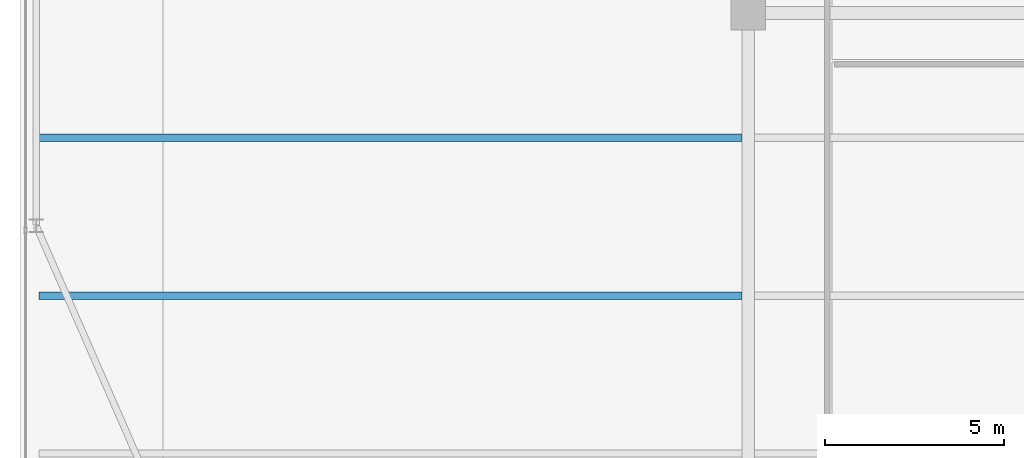
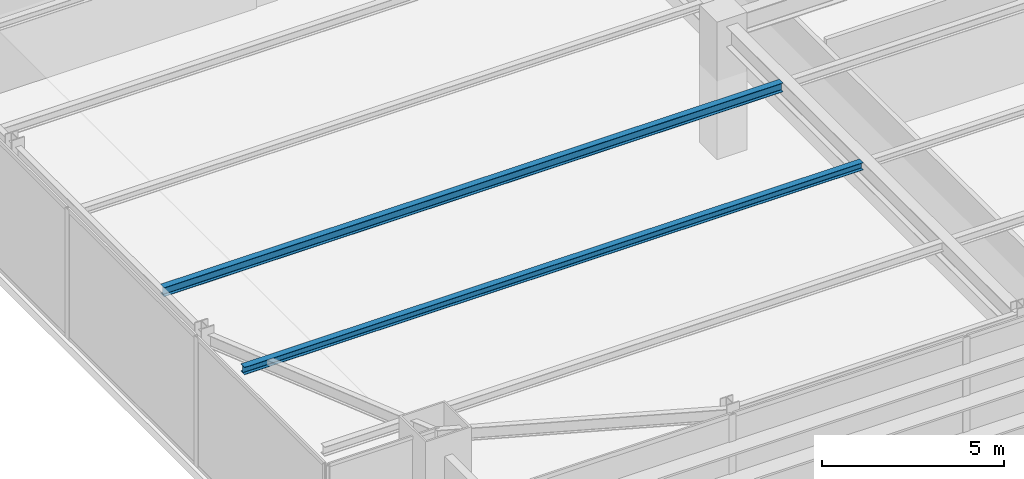
# One storey, part 8 of 32: 2 beams.
"""IFC4 building model written with IfcOpenShell, lengths in metres."""

from ifc_helpers import new_model, si_unit, direction, frame, origin, origin_2d, place, context, subcontext, project, spatial, i_section, extrude, source, transform, mapped, material, material_profile, profile_set, type_object, type_shapes, element, save


model = new_model("IFC4")

# Units and contexts
model_context = context("Model", 3, precision=1e-05, world=origin(), true_north=direction((0.0, 1.0)))
body_context = subcontext(model_context, "Body", "Model", "MODEL_VIEW")
ifc_project = project(units=[si_unit("LENGTHUNIT", "METRE"), si_unit("AREAUNIT", "SQUARE_METRE"), si_unit("VOLUMEUNIT", "CUBIC_METRE"), si_unit("PLANEANGLEUNIT", "RADIAN"), si_unit("MASSUNIT", "GRAM", prefix="KILO")], contexts=[model_context])

# Site, building, storey
site_placement = place(None, origin())
site = spatial("IfcSite", under=ifc_project, at=site_placement, CompositionType="ELEMENT")
building_placement = place(site_placement, origin())
building = spatial("IfcBuilding", under=site, at=building_placement, Name="Varnel Quay Broadcast Tower", CompositionType="ELEMENT")
storey_placement = place(building_placement, frame((0.0, 0.0, 98.39990234375)))
storey = spatial("IfcBuildingStorey", under=building, at=storey_placement, Name="L23", CompositionType="ELEMENT", Elevation=98.39990234375)

# Beams
ifc_material = material(Name="Structural Steel CSA G40.21 350W", Category="steel")
ifc_material_profile_1 = material_profile(ifc_material, i_section(OverallWidth=0.202880859375, OverallDepth=0.302978515625, WebThickness=0.007568359375, FlangeThickness=0.01318359375, FilletRadius=0.011962890625, at=origin_2d()), Name="W310X60")
ifc_profile_set_1 = profile_set([ifc_material_profile_1], Name="Structural Steel CSA G40.21 350W")
beam_type_1 = type_object("IfcBeamType", Name="Beam_W310X60", PredefinedType="JOIST", material=ifc_profile_set_1)
shared_shape_1 = source(origin(), body_context, "Body", "SweptSolid", [
    extrude(i_section(OverallWidth=0.202880859375, OverallDepth=0.302978515625, WebThickness=0.007568359375, FlangeThickness=0.01318359375, FilletRadius=0.011962890625, at=origin_2d()), origin(), (0.0, 0.0, 1.0), 19.592041015625),
])
type_shapes(beam_type_1, [shared_shape_1])
beam_1_placement = place(storey_placement, frame((5.035400390625, 17.449951171875, 4.198486328125), z_axis=(1.0, 0.0, 0.0), x_axis=(0.0, 1.0, 0.0)))
element("IfcBeam", 1, at=beam_1_placement, inside=storey, type_object=beam_type_1, Name="L23 West Floor Joist 3", PredefinedType="JOIST", context=body_context, shape_type="MappedRepresentation", body=[
    mapped(shared_shape_1, transform((0.0, 0.0, 0.0), x_axis=(1.0, 0.0, 0.0), y_axis=(0.0, 1.0, 0.0), z_axis=(0.0, 0.0, 1.0), scale=1.0)),
])
ifc_material_profile_2 = material_profile(ifc_material, i_section(OverallWidth=0.201904296875, OverallDepth=0.2470703125, WebThickness=0.00732421875, FlangeThickness=0.010986328125, FilletRadius=0.010986328125, at=origin_2d()), Name="W250X49")
ifc_profile_set_2 = profile_set([ifc_material_profile_2], Name="Structural Steel CSA G40.21 350W")
beam_type_2 = type_object("IfcBeamType", Name="Beam_W250X49", PredefinedType="JOIST", material=ifc_profile_set_2)
shared_shape_2 = source(origin(), body_context, "Body", "SweptSolid", [
    extrude(i_section(OverallWidth=0.201904296875, OverallDepth=0.2470703125, WebThickness=0.00732421875, FlangeThickness=0.010986328125, FilletRadius=0.010986328125, at=origin_2d()), origin(), (0.0, 0.0, 1.0), 19.592041015625),
])
type_shapes(beam_type_2, [shared_shape_2])
beam_2_placement = place(storey_placement, frame((5.035400390625, 13.050048828125, 4.2265625), z_axis=(1.0, 0.0, 0.0), x_axis=(0.0, 1.0, 0.0)))
element("IfcBeam", 2, at=beam_2_placement, inside=storey, type_object=beam_type_2, Name="L23 West Floor Joist 2", PredefinedType="JOIST", context=body_context, shape_type="MappedRepresentation", body=[
    mapped(shared_shape_2, transform((0.0, 0.0, 0.0), x_axis=(1.0, 0.0, 0.0), y_axis=(0.0, 1.0, 0.0), z_axis=(0.0, 0.0, 1.0), scale=1.0)),
])

save(model, "model.ifc")
